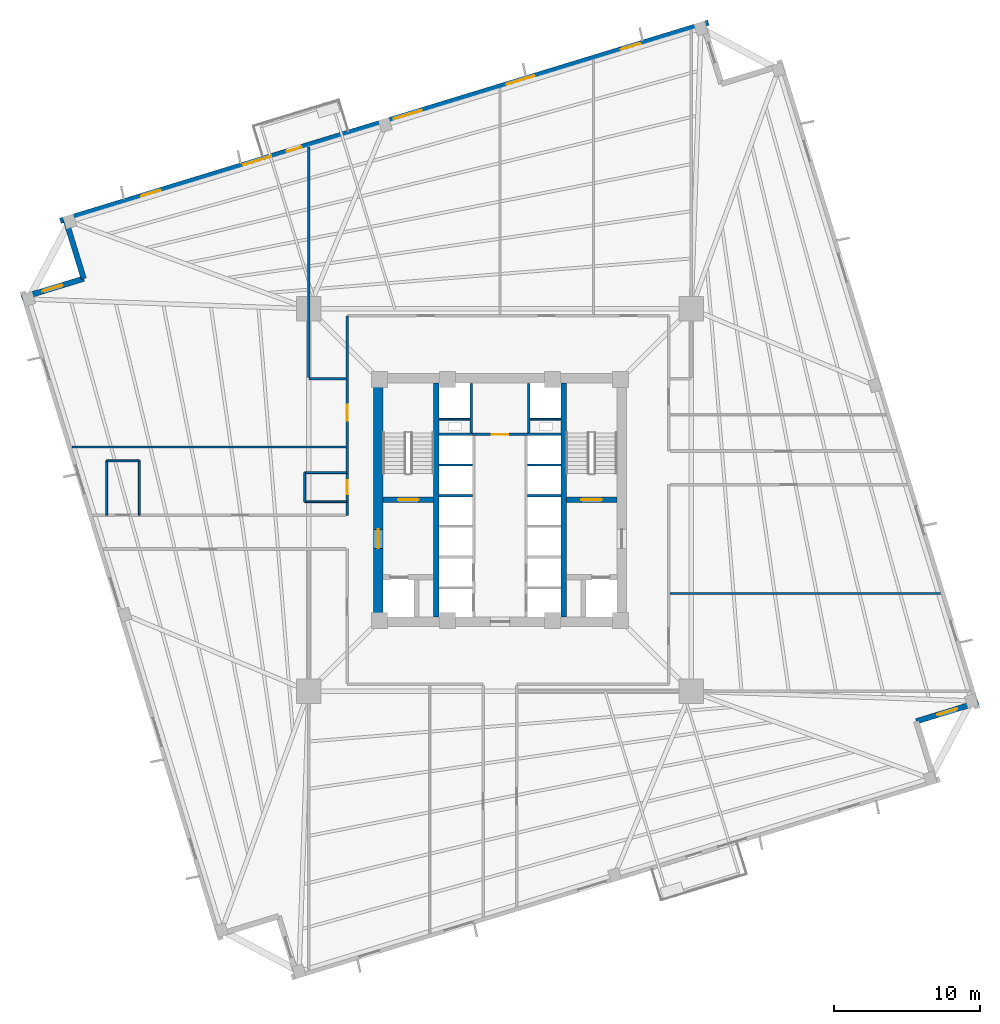
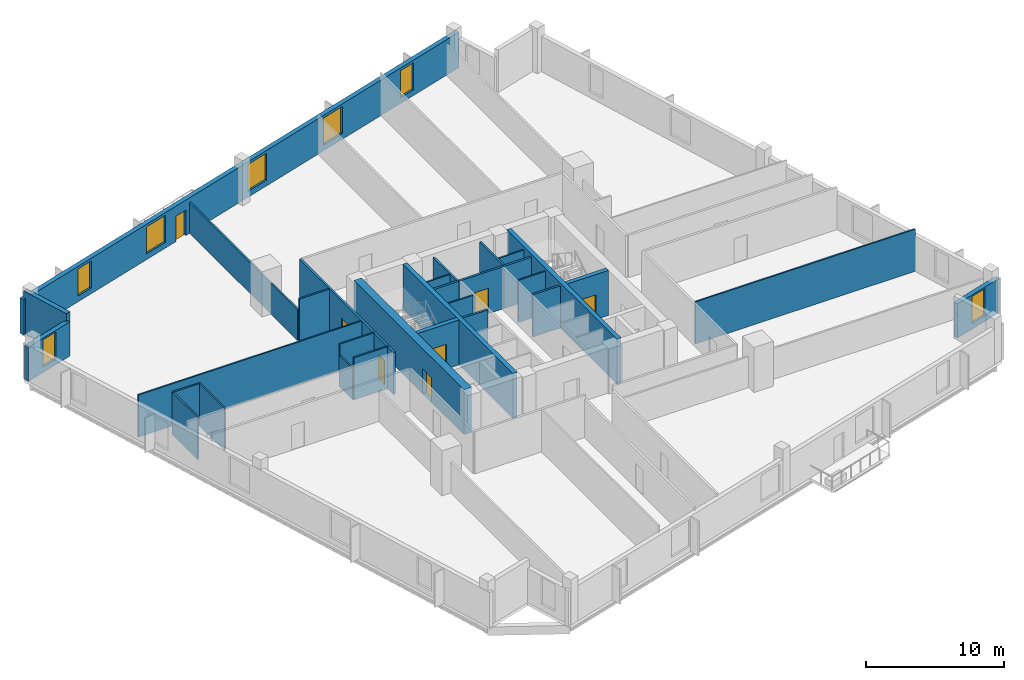
# One storey, part 4 of 8: 31 walls, 7 doors, 7 windows, 14 openings.
"""IFC4 building model written with IfcOpenShell, lengths in metres."""

from ifc_helpers import new_model, si_unit, direction, frame, frame_2d, origin, place, context, subcontext, project, spatial, rectangle, extrude, source, transform, mapped, material, layer, layer_set, type_object, element, fill, save


model = new_model("IFC4")

# Units and contexts
model_context = context("Model", 3, precision=1e-05, world=origin(), true_north=direction((0.0, 1.0)))
body_context = subcontext(model_context, "Body", "Model", "MODEL_VIEW")
ifc_project = project(units=[si_unit("LENGTHUNIT", "METRE"), si_unit("AREAUNIT", "SQUARE_METRE"), si_unit("VOLUMEUNIT", "CUBIC_METRE"), si_unit("PLANEANGLEUNIT", "RADIAN"), si_unit("MASSUNIT", "GRAM", prefix="KILO"), si_unit("THERMODYNAMICTEMPERATUREUNIT", "KELVIN")], contexts=[model_context])

# Site, building, storey
site_placement = place(None, origin())
site = spatial("IfcSite", under=ifc_project, at=site_placement, CompositionType="ELEMENT")
building_placement = place(site_placement, origin())
building = spatial("IfcBuilding", under=site, at=building_placement, Name="Kosmvard Interchange Tower", CompositionType="ELEMENT")
storey_placement = place(building_placement, frame((0.0, 0.0, 123.199951171875)))
storey = spatial("IfcBuildingStorey", under=building, at=storey_placement, Name="L29", CompositionType="ELEMENT", Elevation=123.199951171875)

# Walls
ifc_material_1 = material(Name="Acoustic gypsum partition system")
ifc_layer_1 = layer(ifc_material_1, 0.14990234375, Name="Acoustic gypsum partition system")
ifc_layer_set_1 = layer_set([ifc_layer_1], Name="Acoustic gypsum partition system")
wall_type_1 = type_object("IfcWallType", Name="Acoustic Suite & Meeting Partition 150", PredefinedType="PARTITIONING", material=ifc_layer_set_1)
wall_1_placement = place(storey_placement, frame((-10.544921875, 8.300048828125, 0.0), z_axis=(0.0, 0.0, 1.0), x_axis=(-1.0, 0.0, 0.0)))
element("IfcWall", 1, at=wall_1_placement, inside=storey, type_object=wall_type_1, Name="L29 Room Partition 01.1", PredefinedType="PARTITIONING", context=body_context, shape_type="SweptSolid", body=[
    extrude(rectangle(XDim=2.5361328125, YDim=0.14990234375, at=frame_2d((1.26806640625, 0.0))), origin(), (0.0, 0.0, 1.0), 3.739990234375),
])
wall_2_placement = place(storey_placement, frame((-13.0810546875, 8.375, 0.0), z_axis=(0.0, 0.0, 1.0), x_axis=(0.0, 1.0, 0.0)))
element("IfcWall", 2, at=wall_2_placement, inside=storey, type_object=wall_type_1, Name="L29 Room Partition 02.1", PredefinedType="PARTITIONING", context=body_context, shape_type="SweptSolid", body=[
    extrude(rectangle(XDim=15.79150390625, YDim=0.14990234375, at=frame_2d((7.895751953125, 0.0))), origin(), (0.0, 0.0, 1.0), 2.73193359375),
])
ifc_material_2 = material(Name="Fire-rated gypsum partition system")
ifc_layer_2 = layer(ifc_material_2, 0.159912109375, Name="Fire-rated gypsum partition system")
ifc_layer_set_2 = layer_set([ifc_layer_2], Name="Fire-rated gypsum partition system")
wall_type_2 = type_object("IfcWallType", Name="Core Compartment & Shuttle Lobby Partition 160", PredefinedType="PARTITIONING", material=ifc_layer_set_2)
for number, where, z_axis, x_axis, name in (
    (3, (-1.9599609375, 4.580078125, 0.0), (0.0, 0.0, 1.0), (0.0, 1.0, 0.0), "L29 North Core West Wall"),
    (4, (1.9599609375, 4.580078125, 0.0), (0.0, 0.0, 1.0), (0.0, 1.0, 0.0), "L29 North Core East Wall"),
):
    element("IfcWall", number, at=place(storey_placement, frame(where, z_axis=z_axis, x_axis=x_axis)), inside=storey, type_object=wall_type_2, Name=name, PredefinedType="PARTITIONING", context=body_context, shape_type="SweptSolid", body=[
        extrude(rectangle(XDim=3.39990234375, YDim=0.159912109375, at=frame_2d((1.699951171875, 0.0))), origin(), (0.0, 0.0, 1.0), 3.739990234375),
    ])

# Wall, opening, door
ifc_layer_3 = layer(ifc_material_2, 0.179931640625, Name="Fire-rated gypsum partition system")
ifc_layer_set_3 = layer_set([ifc_layer_3], Name="Fire-rated gypsum partition system")
wall_type_3 = type_object("IfcWallType", Name="Corridor & Hotel Compartment Partition 180", PredefinedType="PARTITIONING", material=ifc_layer_set_3)
wall_3_placement = place(storey_placement, frame((-1.8798828125, 4.489990234375, 0.0), z_axis=(0.0, 0.0, 1.0), x_axis=(1.0, 0.0, 0.0)))
wall_3 = element("IfcWall", 5, at=wall_3_placement, inside=storey, type_object=wall_type_3, Name="L29 Lift Lobby North Partition", PredefinedType="PARTITIONING", context=body_context, shape_type="SweptSolid", body=[
    extrude(rectangle(XDim=3.759765625, YDim=0.179931640625, at=frame_2d((1.8798828125, 0.0))), origin(), (0.0, 0.0, 1.0), 3.739990234375),
])
opening_1_placement = place(wall_3_placement, frame((1.304931640625, 0.0, 0.0)))
opening_1 = element("IfcOpeningElement", 6, at=opening_1_placement, cuts=wall_3, Name="Opening L29-KD1", PredefinedType="OPENING", context=body_context, shape_type="SweptSolid", body=[
    extrude(rectangle(XDim=1.14990234375, YDim=2.25, at=frame_2d((0.574951171875, 1.125))), frame((0.0, 0.10009765625, 0.0), z_axis=(0.0, -1.0, 0.0), x_axis=(1.0, 0.0, 0.0)), (0.0, 0.0, 1.0), 0.199951171875),
])
ifc_material_3 = material(Name="Painted fire-rated steel leaf", Category="steel")
door_type_1 = type_object("IfcDoorType", Name="Plant & Riser Fire Door 1150x2250 EI60", OperationType="NOTDEFINED", PredefinedType="DOOR", material=ifc_material_3)
shared_shape_1 = source(origin(), body_context, "Body", "SweptSolid", [
    extrude(rectangle(XDim=1.14990234375, YDim=2.25, at=frame_2d((0.574951171875, 1.125))), frame((0.0, 0.02490234375, 0.0), z_axis=(0.0, -1.0, 0.0), x_axis=(1.0, 0.0, 0.0)), (0.0, 0.0, 1.0), 0.050048828125),
])
door_1_placement = place(opening_1_placement, origin())
door_1 = element("IfcDoor", 7, at=door_1_placement, inside=storey, type_object=door_type_1, Name="L29 Core IT Room Door", OperationType="SINGLE_SWING_LEFT", OverallHeight=2.25, OverallWidth=1.14990234375, PredefinedType="DOOR", context=body_context, shape_type="MappedRepresentation", body=[
    mapped(shared_shape_1, transform((0.0, 0.0, 0.0), scale=1.0)),
])
fill(opening_1, door_1)

# Wall, openings, doors
wall_4_placement = place(storey_placement, frame((-10.449951171875, -1.050048828125, 0.0), z_axis=(0.0, 0.0, 1.0), x_axis=(0.0, 1.0, 0.0)))
wall_4 = element("IfcWall", 8, at=wall_4_placement, inside=storey, type_object=wall_type_3, Name="L29 Corridor Wall CWN", PredefinedType="PARTITIONING", context=body_context, shape_type="SweptSolid", body=[
    extrude(rectangle(XDim=13.650146484375, YDim=0.179931640625, at=frame_2d((6.8251953125, 0.0))), origin(), (0.0, 0.0, 1.0), 3.739990234375),
])
opening_2_placement = place(wall_4_placement, frame((1.455078125, 0.0, 0.0)))
opening_2 = element("IfcOpeningElement", 9, at=opening_2_placement, cuts=wall_4, Name="Opening L29-D01", PredefinedType="OPENING", context=body_context, shape_type="SweptSolid", body=[
    extrude(rectangle(XDim=0.949951171875, YDim=2.10009765625, at=frame_2d((0.47509765625, 1.050048828125))), frame((0.0, 0.10009765625, 0.0), z_axis=(0.0, -1.0, 0.0), x_axis=(1.0, 0.0, 0.0)), (0.0, 0.0, 1.0), 0.199951171875),
])
opening_3_placement = place(wall_4_placement, frame((6.46240234375, 0.0, 0.0)))
opening_3 = element("IfcOpeningElement", 10, at=opening_3_placement, cuts=wall_4, Name="Opening L29-D04", PredefinedType="OPENING", context=body_context, shape_type="SweptSolid", body=[
    extrude(rectangle(XDim=1.10009765625, YDim=2.199951171875, at=frame_2d((0.550048828125, 1.10009765625))), frame((0.0, 0.10009765625, 0.0), z_axis=(0.0, -1.0, 0.0), x_axis=(1.0, 0.0, 0.0)), (0.0, 0.0, 1.0), 0.199951171875),
])
ifc_material_4 = material(Name="Laminated moisture-resistant timber", Category="wood")
door_type_2 = type_object("IfcDoorType", Name="Accessible Washroom Door 950x2100", OperationType="NOTDEFINED", PredefinedType="DOOR", material=ifc_material_4)
shared_shape_2 = source(origin(), body_context, "Body", "SweptSolid", [
    extrude(rectangle(XDim=0.949951171875, YDim=2.10009765625, at=frame_2d((0.47509765625, 1.050048828125))), frame((0.0, 0.02490234375, 0.0), z_axis=(0.0, -1.0, 0.0), x_axis=(1.0, 0.0, 0.0)), (0.0, 0.0, 1.0), 0.050048828125),
])
door_2_placement = place(opening_2_placement, origin())
door_2 = element("IfcDoor", 11, at=door_2_placement, inside=storey, type_object=door_type_2, Name="L29 Accessible Toilet Door", OperationType="SINGLE_SWING_LEFT", OverallHeight=2.10009765625, OverallWidth=0.949951171875, PredefinedType="DOOR", context=body_context, shape_type="MappedRepresentation", body=[
    mapped(shared_shape_2, transform((0.0, 0.0, 0.0), scale=1.0)),
])
fill(opening_2, door_2)
ifc_material_5 = material(Name="Engineered oak fire-rated timber", Category="wood")
door_type_3 = type_object("IfcDoorType", Name="Office Suite Entrance Door 1100x2200 FD30S", OperationType="NOTDEFINED", PredefinedType="DOOR", material=ifc_material_5)
shared_shape_3 = source(origin(), body_context, "Body", "SweptSolid", [
    extrude(rectangle(XDim=1.10009765625, YDim=2.199951171875, at=frame_2d((0.550048828125, 1.10009765625))), frame((0.0, 0.02490234375, 0.0), z_axis=(0.0, -1.0, 0.0), x_axis=(1.0, 0.0, 0.0)), (0.0, 0.0, 1.0), 0.050048828125),
])
door_3_placement = place(opening_3_placement, origin())
door_3 = element("IfcDoor", 12, at=door_3_placement, inside=storey, type_object=door_type_3, Name="L29 Document Vault Store Door", OperationType="SINGLE_SWING_RIGHT", OverallHeight=2.199951171875, OverallWidth=1.10009765625, PredefinedType="DOOR", context=body_context, shape_type="MappedRepresentation", body=[
    mapped(shared_shape_3, transform((0.0, 0.0, 0.0), scale=1.0)),
])
fill(opening_3, door_3)

# Wall, opening, window
ifc_material_6 = material(Name="Precast concrete C45/55", Category="concrete")
ifc_layer_4 = layer(ifc_material_6, 0.3798828125, Name="Precast concrete C45/55")
ifc_layer_set_4 = layer_set([ifc_layer_4], Name="Precast concrete C45/55")
wall_type_4 = type_object("IfcWallType", Name="Lower Tower Precast Pier Wall 380 C45/55", PredefinedType="STANDARD", material=ifc_layer_set_4)
wall_5_placement = place(storey_placement, frame((28.482421875, -15.144287109375, 0.0), z_axis=(0.0, 0.0, 1.0), x_axis=(0.956304176051, 0.292373601522, 0.0)))
wall_5 = element("IfcWall", 13, at=wall_5_placement, inside=storey, type_object=wall_type_4, Name="L29 Precast Facade Wall N-SE2", PredefinedType="STANDARD", context=body_context, shape_type="SweptSolid", body=[
    extrude(rectangle(XDim=4.43994140625, YDim=0.3798828125, at=frame_2d((2.219970703125, 0.0))), origin(), (0.0, 0.0, 1.0), 3.0400390625),
])
opening_4_placement = place(wall_5_placement, frame((1.52001953125, 0.0, 0.510009765625)))
opening_4 = element("IfcOpeningElement", 14, at=opening_4_placement, cuts=wall_5, Name="Opening L29-W20", PredefinedType="OPENING", context=body_context, shape_type="SweptSolid", body=[
    extrude(rectangle(XDim=1.39990234375, YDim=2.39990234375, at=frame_2d((0.699951171875, 1.199951171875))), frame((0.0, 0.199951171875, 0.0), z_axis=(0.0, -1.0, 0.0), x_axis=(1.0, 0.0, 0.0)), (0.0, 0.0, 1.0), 0.39990234375),
])
ifc_material_7 = material(Name="Low-E solar-control double glazing", Category="glass")
window_type_1 = type_object("IfcWindowType", Name="Notched Corner Feature Window 1400x2400", PartitioningType="SINGLE_PANEL", PredefinedType="WINDOW", material=ifc_material_7)
shared_shape_4 = source(origin(), body_context, "Body", "SweptSolid", [
    extrude(rectangle(XDim=1.39990234375, YDim=2.39990234375, at=frame_2d((0.699951171875, 1.199951171875))), frame((0.0, 0.030029296875, 0.0), z_axis=(0.0, -1.0, 0.0), x_axis=(1.0, 0.0, 0.0)), (0.0, 0.0, 1.0), 0.06005859375),
])
window_1_placement = place(opening_4_placement, origin())
window_1 = element("IfcWindow", 15, at=window_1_placement, inside=storey, type_object=window_type_1, Name="L29 Corner Notch Window 20", OverallHeight=2.39990234375, OverallWidth=1.39990234375, PartitioningType="SINGLE_PANEL", PredefinedType="WINDOW", context=body_context, shape_type="MappedRepresentation", body=[
    mapped(shared_shape_4, transform((0.0, 0.0, 0.0), scale=1.0)),
])
fill(opening_4, window_1)

# Wall, openings, door, windows
wall_6_placement = place(storey_placement, frame((14.26513671875, 32.65771484375, 0.0), z_axis=(0.0, 0.0, 1.0), x_axis=(-0.956304320851, -0.292373127906, 0.0)))
wall_6 = element("IfcWall", 16, at=wall_6_placement, inside=storey, type_object=wall_type_4, Name="L29 Precast Facade Wall F-N", PredefinedType="STANDARD", context=body_context, shape_type="SweptSolid", body=[
    extrude(rectangle(XDim=46.380126953125, YDim=0.3798828125, at=frame_2d((23.18994140625, 0.0))), origin(), (0.0, 0.0, 1.0), 3.14013671875),
])
opening_5_placement = place(wall_6_placement, frame((29.114990234375, 0.0, 0.0)))
opening_5 = element("IfcOpeningElement", 17, at=opening_5_placement, cuts=wall_6, Name="Opening L29-BDE", PredefinedType="OPENING", context=body_context, shape_type="SweptSolid", body=[
    extrude(rectangle(XDim=1.050048828125, YDim=2.25, at=frame_2d((0.52490234375, 1.125))), frame((0.0, 0.199951171875, 0.0), z_axis=(0.0, -1.0, 0.0), x_axis=(1.0, 0.0, 0.0)), (0.0, 0.0, 1.0), 0.39990234375),
])
opening_6_placement = place(wall_6_placement, frame((4.865478515625, 0.0, 0.510009765625)))
opening_6 = element("IfcOpeningElement", 18, at=opening_6_placement, cuts=wall_6, Name="Opening L29-W10", PredefinedType="OPENING", context=body_context, shape_type="SweptSolid", body=[
    extrude(rectangle(XDim=1.39990234375, YDim=2.39990234375, at=frame_2d((0.699951171875, 1.199951171875))), frame((0.0, 0.199951171875, 0.0), z_axis=(0.0, -1.0, 0.0), x_axis=(1.0, 0.0, 0.0)), (0.0, 0.0, 1.0), 0.39990234375),
])
opening_7_placement = place(wall_6_placement, frame((12.4501953125, 0.0, 0.510009765625)))
opening_7 = element("IfcOpeningElement", 19, at=opening_7_placement, cuts=wall_6, Name="Opening L29-W11", PredefinedType="OPENING", context=body_context, shape_type="SweptSolid", body=[
    extrude(rectangle(XDim=2.0, YDim=2.39990234375, at=frame_2d((1.0, 1.199951171875))), frame((0.0, 0.199951171875, 0.0), z_axis=(0.0, -1.0, 0.0), x_axis=(1.0, 0.0, 0.0)), (0.0, 0.0, 1.0), 0.39990234375),
])
opening_8_placement = place(wall_6_placement, frame((20.512451171875, 0.0, 0.510009765625)))
opening_8 = element("IfcOpeningElement", 20, at=opening_8_placement, cuts=wall_6, Name="Opening L29-W12", PredefinedType="OPENING", context=body_context, shape_type="SweptSolid", body=[
    extrude(rectangle(XDim=2.0, YDim=2.39990234375, at=frame_2d((1.0, 1.199951171875))), frame((0.0, 0.199951171875, 0.0), z_axis=(0.0, -1.0, 0.0), x_axis=(1.0, 0.0, 0.0)), (0.0, 0.0, 1.0), 0.39990234375),
])
opening_9_placement = place(wall_6_placement, frame((31.288330078125, 0.0, 0.510009765625)))
opening_9 = element("IfcOpeningElement", 21, at=opening_9_placement, cuts=wall_6, Name="Opening L29-W13", PredefinedType="OPENING", context=body_context, shape_type="SweptSolid", body=[
    extrude(rectangle(XDim=2.0, YDim=2.39990234375, at=frame_2d((1.0, 1.199951171875))), frame((0.0, 0.199951171875, 0.0), z_axis=(0.0, -1.0, 0.0), x_axis=(1.0, 0.0, 0.0)), (0.0, 0.0, 1.0), 0.39990234375),
])
opening_10_placement = place(wall_6_placement, frame((39.186767578125, 0.0, 0.510009765625)))
opening_10 = element("IfcOpeningElement", 22, at=opening_10_placement, cuts=wall_6, Name="Opening L29-W14", PredefinedType="OPENING", context=body_context, shape_type="SweptSolid", body=[
    extrude(rectangle(XDim=1.39990234375, YDim=2.39990234375, at=frame_2d((0.699951171875, 1.199951171875))), frame((0.0, 0.199951171875, 0.0), z_axis=(0.0, -1.0, 0.0), x_axis=(1.0, 0.0, 0.0)), (0.0, 0.0, 1.0), 0.39990234375),
])
ifc_material_8 = material(Name="Anodised aluminium and safety glass", Category="aluminium")
door_type_4 = type_object("IfcDoorType", Name="Tree-Balcony Glazed Door 1050x2250", OperationType="NOTDEFINED", PredefinedType="DOOR", material=ifc_material_8)
shared_shape_5 = source(origin(), body_context, "Body", "SweptSolid", [
    extrude(rectangle(XDim=1.050048828125, YDim=2.25, at=frame_2d((0.52490234375, 1.125))), frame((0.0, 0.02490234375, 0.0), z_axis=(0.0, -1.0, 0.0), x_axis=(1.0, 0.0, 0.0)), (0.0, 0.0, 1.0), 0.050048828125),
])
door_4_placement = place(opening_5_placement, origin())
door_4 = element("IfcDoor", 23, at=door_4_placement, inside=storey, type_object=door_type_4, Name="L29 Tree-Balcony Door BAL-L29-NE", OperationType="SINGLE_SWING_RIGHT", OverallHeight=2.25, OverallWidth=1.050048828125, PredefinedType="DOOR", context=body_context, shape_type="MappedRepresentation", body=[
    mapped(shared_shape_5, transform((0.0, 0.0, 0.0), scale=1.0)),
])
fill(opening_5, door_4)
window_2_placement = place(opening_6_placement, origin())
window_2 = element("IfcWindow", 24, at=window_2_placement, inside=storey, type_object=window_type_1, Name="L29 Facade Punched Window 10", OverallHeight=2.39990234375, OverallWidth=1.39990234375, PartitioningType="SINGLE_PANEL", PredefinedType="WINDOW", context=body_context, shape_type="MappedRepresentation", body=[
    mapped(shared_shape_4, transform((0.0, 0.0, 0.0), scale=1.0)),
])
fill(opening_6, window_2)
window_3_placement = place(opening_10_placement, origin())
window_3 = element("IfcWindow", 25, at=window_3_placement, inside=storey, type_object=window_type_1, Name="L29 Facade Punched Window 14", OverallHeight=2.39990234375, OverallWidth=1.39990234375, PartitioningType="SINGLE_PANEL", PredefinedType="WINDOW", context=body_context, shape_type="MappedRepresentation", body=[
    mapped(shared_shape_4, transform((0.0, 0.0, 0.0), scale=1.0)),
])
fill(opening_10, window_3)
window_type_2 = type_object("IfcWindowType", Name="Zone 2 Office Punched Window 2000x2400", PartitioningType="SINGLE_PANEL", PredefinedType="WINDOW", material=ifc_material_7)
shared_shape_6 = source(origin(), body_context, "Body", "SweptSolid", [
    extrude(rectangle(XDim=2.0, YDim=2.39990234375, at=frame_2d((1.0, 1.199951171875))), frame((0.0, 0.030029296875, 0.0), z_axis=(0.0, -1.0, 0.0), x_axis=(1.0, 0.0, 0.0)), (0.0, 0.0, 1.0), 0.06005859375),
])
window_4_placement = place(opening_7_placement, origin())
window_4 = element("IfcWindow", 26, at=window_4_placement, inside=storey, type_object=window_type_2, Name="L29 Facade Punched Window 11", OverallHeight=2.39990234375, OverallWidth=2.0, PartitioningType="SINGLE_PANEL", PredefinedType="WINDOW", context=body_context, shape_type="MappedRepresentation", body=[
    mapped(shared_shape_6, transform((0.0, 0.0, 0.0), scale=1.0)),
])
fill(opening_7, window_4)
window_5_placement = place(opening_8_placement, origin())
window_5 = element("IfcWindow", 27, at=window_5_placement, inside=storey, type_object=window_type_2, Name="L29 Facade Punched Window 12", OverallHeight=2.39990234375, OverallWidth=2.0, PartitioningType="SINGLE_PANEL", PredefinedType="WINDOW", context=body_context, shape_type="MappedRepresentation", body=[
    mapped(shared_shape_6, transform((0.0, 0.0, 0.0), scale=1.0)),
])
fill(opening_8, window_5)
window_6_placement = place(opening_9_placement, origin())
window_6 = element("IfcWindow", 28, at=window_6_placement, inside=storey, type_object=window_type_2, Name="L29 Facade Punched Window 13", OverallHeight=2.39990234375, OverallWidth=2.0, PartitioningType="SINGLE_PANEL", PredefinedType="WINDOW", context=body_context, shape_type="MappedRepresentation", body=[
    mapped(shared_shape_6, transform((0.0, 0.0, 0.0), scale=1.0)),
])
fill(opening_9, window_6)

# Wall
wall_7_placement = place(storey_placement, frame((-29.724853515625, 19.20849609375, 0.0), z_axis=(0.0, 0.0, 1.0), x_axis=(0.292345507338, -0.956312764915, 0.0)))
element("IfcWall", 29, at=wall_7_placement, inside=storey, type_object=wall_type_4, Name="L29 Precast Facade Wall N-NW1", PredefinedType="STANDARD", context=body_context, shape_type="SweptSolid", body=[
    extrude(rectangle(XDim=4.249755859375, YDim=0.3798828125, at=frame_2d((2.125, 0.0))), origin(), (0.0, 0.0, 1.0), 3.739990234375),
])

# Wall, opening, window
wall_8_placement = place(storey_placement, frame((-28.482421875, 15.144287109375, 0.0), z_axis=(0.0, 0.0, 1.0), x_axis=(-0.956304176051, -0.292373601522, 0.0)))
wall_8 = element("IfcWall", 30, at=wall_8_placement, inside=storey, type_object=wall_type_4, Name="L29 Precast Facade Wall N-NW2", PredefinedType="STANDARD", context=body_context, shape_type="SweptSolid", body=[
    extrude(rectangle(XDim=4.43994140625, YDim=0.3798828125, at=frame_2d((2.219970703125, 0.0))), origin(), (0.0, 0.0, 1.0), 3.0400390625),
])
opening_11_placement = place(wall_8_placement, frame((1.52001953125, 0.0, 0.510009765625)))
opening_11 = element("IfcOpeningElement", 31, at=opening_11_placement, cuts=wall_8, Name="Opening L29-W22", PredefinedType="OPENING", context=body_context, shape_type="SweptSolid", body=[
    extrude(rectangle(XDim=1.39990234375, YDim=2.39990234375, at=frame_2d((0.699951171875, 1.199951171875))), frame((0.0, 0.199951171875, 0.0), z_axis=(0.0, -1.0, 0.0), x_axis=(1.0, 0.0, 0.0)), (0.0, 0.0, 1.0), 0.39990234375),
])
window_7_placement = place(opening_11_placement, origin())
window_7 = element("IfcWindow", 32, at=window_7_placement, inside=storey, type_object=window_type_1, Name="L29 Corner Notch Window 22", OverallHeight=2.39990234375, OverallWidth=1.39990234375, PartitioningType="SINGLE_PANEL", PredefinedType="WINDOW", context=body_context, shape_type="MappedRepresentation", body=[
    mapped(shared_shape_4, transform((0.0, 0.0, 0.0), scale=1.0)),
])
fill(opening_11, window_7)

# Wall, opening, door
ifc_material_9 = material(Name="Concrete C70/85", Category="concrete")
ifc_layer_5 = layer(ifc_material_9, 0.64990234375, Name="Concrete C70/85")
ifc_layer_set_5 = layer_set([ifc_layer_5], Name="Concrete C70/85")
wall_type_5 = type_object("IfcWallType", Name="Mid Core Shear Wall 650 C70/85", PredefinedType="SHEAR", material=ifc_layer_set_5)
wall_9_placement = place(storey_placement, frame((-8.324951171875, -8.0, 0.0), z_axis=(0.0, 0.0, 1.0), x_axis=(0.0, 1.0, 0.0)))
wall_9 = element("IfcWall", 33, at=wall_9_placement, inside=storey, type_object=wall_type_5, Name="L29 Core Shear Wall CW-W", PredefinedType="SHEAR", context=body_context, shape_type="SweptSolid", body=[
    extrude(rectangle(XDim=16.0, YDim=0.64990234375, at=frame_2d((8.0, 0.0))), origin(), (0.0, 0.0, 1.0), 4.0),
])
opening_12_placement = place(wall_9_placement, frame((4.68994140625, 0.0, 0.0)))
opening_12 = element("IfcOpeningElement", 34, at=opening_12_placement, cuts=wall_9, Name="Opening L29-FD1", PredefinedType="OPENING", context=body_context, shape_type="SweptSolid", body=[
    extrude(rectangle(XDim=1.300048828125, YDim=2.199951171875, at=frame_2d((0.64990234375, 1.10009765625))), frame((0.0, 0.3349609375, 0.0), z_axis=(0.0, -1.0, 0.0), x_axis=(1.0, 0.0, 0.0)), (0.0, 0.0, 1.0), 0.669921875),
])
door_type_5 = type_object("IfcDoorType", Name="Firefighting Lobby Door 1300x2200 EI60", OperationType="NOTDEFINED", PredefinedType="DOOR", material=ifc_material_3)
shared_shape_7 = source(origin(), body_context, "Body", "SweptSolid", [
    extrude(rectangle(XDim=1.300048828125, YDim=2.199951171875, at=frame_2d((0.64990234375, 1.10009765625))), frame((0.0, 0.02490234375, 0.0), z_axis=(0.0, -1.0, 0.0), x_axis=(1.0, 0.0, 0.0)), (0.0, 0.0, 1.0), 0.050048828125),
])
door_5_placement = place(opening_12_placement, frame((1.300048828125, 0.0, 0.0), z_axis=(0.0, 0.0, 1.0), x_axis=(-1.0, 0.0, 0.0)))
door_5 = element("IfcDoor", 35, at=door_5_placement, inside=storey, type_object=door_type_5, Name="L29 Firefighting Lobby West Door", OperationType="SINGLE_SWING_LEFT", OverallHeight=2.199951171875, OverallWidth=1.300048828125, PredefinedType="DOOR", context=body_context, shape_type="MappedRepresentation", body=[
    mapped(shared_shape_7, transform((0.0, 0.0, 0.0), scale=1.0)),
])
fill(opening_12, door_5)

# Walls
ifc_material_10 = material(Name="Gypsum board partition system")
ifc_layer_6 = layer(ifc_material_10, 0.1201171875, Name="Gypsum board partition system")
ifc_layer_set_6 = layer_set([ifc_layer_6], Name="Gypsum board partition system")
wall_type_6 = type_object("IfcWallType", Name="Office Cellular Partition 120", PredefinedType="PARTITIONING", material=ifc_layer_set_6)
wall_10_placement = place(storey_placement, frame((-29.27392578125, 3.625, 0.0), z_axis=(0.0, 0.0, 1.0), x_axis=(1.0, 0.0, 0.0)))
element("IfcWall", 36, at=wall_10_placement, inside=storey, type_object=wall_type_6, Name="L29 Room Partition 07.1", PredefinedType="PARTITIONING", context=body_context, shape_type="SweptSolid", body=[
    extrude(rectangle(XDim=18.72900390625, YDim=0.1201171875, at=frame_2d((9.364501953125, 0.0))), origin(), (0.0, 0.0, 1.0), 3.739990234375),
])
wall_11_placement = place(storey_placement, frame((11.64501953125, -6.39990234375, 0.0), z_axis=(0.0, 0.0, 1.0), x_axis=(1.0, 0.0, 0.0)))
element("IfcWall", 37, at=wall_11_placement, inside=storey, type_object=wall_type_6, Name="L29 Room Partition 10.1", PredefinedType="PARTITIONING", context=body_context, shape_type="SweptSolid", body=[
    extrude(rectangle(XDim=18.477294921875, YDim=0.1201171875, at=frame_2d((9.23876953125, 0.0))), origin(), (0.0, 0.0, 1.0), 3.739990234375),
])
ifc_material_11 = material(Name="Concrete blockwork masonry", Category="masonry")
ifc_layer_7 = layer(ifc_material_11, 0.179931640625, Name="Concrete blockwork masonry")
ifc_layer_set_7 = layer_set([ifc_layer_7], Name="Concrete blockwork masonry")
wall_type_7 = type_object("IfcWallType", Name="Riser & Lift Bank Divider Wall 180", PredefinedType="PARTITIONING", material=ifc_layer_set_7)
for number, where, z_axis, x_axis, name in (
    (38, (-4.169921875, 0.300048828125, 0.0), (0.0, 0.0, 1.0), (1.0, 0.0, 0.0), "L29 West Bank Divider BD2"),
    (39, (1.889892578125, 0.300048828125, 0.0), (0.0, 0.0, 1.0), (1.0, 0.0, 0.0), "L29 East Bank Divider BD2"),
    (40, (-4.169921875, 4.489990234375, 0.0), (0.0, 0.0, 1.0), (1.0, 0.0, 0.0), "L29 West Bank Divider BD3"),
    (41, (1.889892578125, 4.489990234375, 0.0), (0.0, 0.0, 1.0), (1.0, 0.0, 0.0), "L29 East Bank Divider BD3"),
):
    element("IfcWall", number, at=place(storey_placement, frame(where, z_axis=z_axis, x_axis=x_axis)), inside=storey, type_object=wall_type_7, Name=name, PredefinedType="PARTITIONING", context=body_context, shape_type="SweptSolid", body=[
        extrude(rectangle(XDim=2.280029296875, YDim=0.179931640625, at=frame_2d((1.14013671875, 0.0))), origin(), (0.0, 0.0, 1.0), 3.739990234375),
    ])
ifc_material_12 = material(Name="Fire-rated gypsum shaftwall system")
ifc_layer_8 = layer(ifc_material_12, 0.1201171875, Name="Fire-rated gypsum shaftwall system")
ifc_layer_set_8 = layer_set([ifc_layer_8], Name="Fire-rated gypsum shaftwall system")
wall_type_8 = type_object("IfcWallType", Name="Shaft & Riser Fire Partition 120 EI60", PredefinedType="PARTITIONING", material=ifc_layer_set_8)
for number, where, z_axis, x_axis, name in (
    (42, (-4.159912109375, 2.39990234375, 0.0), (0.0, 0.0, 1.0), (1.0, 0.0, 0.0), "L29 Shaft Divider PL-H1"),
    (43, (1.89990234375, 2.39990234375, 0.0), (0.0, 0.0, 1.0), (1.0, 0.0, 0.0), "L29 Shaft Divider PL-H3"),
):
    element("IfcWall", number, at=place(storey_placement, frame(where, z_axis=z_axis, x_axis=x_axis)), inside=storey, type_object=wall_type_8, Name=name, PredefinedType="PARTITIONING", context=body_context, shape_type="SweptSolid", body=[
        extrude(rectangle(XDim=2.260009765625, YDim=0.1201171875, at=frame_2d((1.1298828125, 0.0))), origin(), (0.0, 0.0, 1.0), 3.739990234375),
    ])
for number, where, z_axis, x_axis, name in (
    (44, (-4.159912109375, 5.52001953125, 0.0), (0.0, 0.0, 1.0), (1.0, 0.0, 0.0), "L29 Riser Shaft Divider W"),
    (45, (2.06005859375, 5.52001953125, 0.0), (0.0, 0.0, 1.0), (1.0, 0.0, 0.0), "L29 Riser Shaft Divider E"),
):
    element("IfcWall", number, at=place(storey_placement, frame(where, z_axis=z_axis, x_axis=x_axis)), inside=storey, type_object=wall_type_8, Name=name, PredefinedType="PARTITIONING", context=body_context, shape_type="SweptSolid", body=[
        extrude(rectangle(XDim=2.099853515625, YDim=0.1201171875, at=frame_2d((1.0498046875, 0.0))), origin(), (0.0, 0.0, 1.0), 3.739990234375),
    ])
ifc_material_13 = material(Name="Concrete C60/75", Category="concrete")
ifc_layer_9 = layer(ifc_material_13, 0.360107421875, Name="Concrete C60/75")
ifc_layer_set_9 = layer_set([ifc_layer_9], Name="Concrete C60/75")
wall_type_9 = type_object("IfcWallType", Name="Stair & Lift Shaft Shear Wall 360 C60/75", PredefinedType="SHEAR", material=ifc_layer_set_9)
for number, where, z_axis, x_axis, name in (
    (46, (-4.360107421875, -8.0, 0.0), (0.0, 0.0, 1.0), (0.0, 1.0, 0.0), "L29 Shaft Shear Wall SW-W"),
    (47, (4.360107421875, -8.0, 0.0), (0.0, 0.0, 1.0), (0.0, 1.0, 0.0), "L29 Shaft Shear Wall SW-E"),
):
    element("IfcWall", number, at=place(storey_placement, frame(where, z_axis=z_axis, x_axis=x_axis)), inside=storey, type_object=wall_type_9, Name=name, PredefinedType="SHEAR", context=body_context, shape_type="SweptSolid", body=[
        extrude(rectangle(XDim=16.0, YDim=0.360107421875, at=frame_2d((8.0, 0.0))), origin(), (0.0, 0.0, 1.0), 4.0),
    ])

# Wall, opening, door
wall_12_placement = place(storey_placement, frame((-8.0, 0.02001953125, 0.0), z_axis=(0.0, 0.0, 1.0), x_axis=(1.0, 0.0, 0.0)))
wall_12 = element("IfcWall", 48, at=wall_12_placement, inside=storey, type_object=wall_type_9, Name="L29 Shaft Shear Wall SW-ST1", PredefinedType="SHEAR", context=body_context, shape_type="SweptSolid", body=[
    extrude(rectangle(XDim=3.4599609375, YDim=0.360107421875, at=frame_2d((1.72998046875, 0.0))), origin(), (0.0, 0.0, 1.0), 4.0),
])
opening_13_placement = place(wall_12_placement, frame((1.030029296875, 0.0, 0.0)))
opening_13 = element("IfcOpeningElement", 49, at=opening_13_placement, cuts=wall_12, Name="Opening L29-SD1", PredefinedType="OPENING", context=body_context, shape_type="SweptSolid", body=[
    extrude(rectangle(XDim=1.39990234375, YDim=2.199951171875, at=frame_2d((0.699951171875, 1.10009765625))), frame((0.0, 0.18994140625, 0.0), z_axis=(0.0, -1.0, 0.0), x_axis=(1.0, 0.0, 0.0)), (0.0, 0.0, 1.0), 0.380126953125),
])
door_type_6 = type_object("IfcDoorType", Name="Protected Stair Door 1400x2200 FD60S", OperationType="NOTDEFINED", PredefinedType="DOOR", material=ifc_material_3)
shared_shape_8 = source(origin(), body_context, "Body", "SweptSolid", [
    extrude(rectangle(XDim=1.39990234375, YDim=2.199951171875, at=frame_2d((0.699951171875, 1.10009765625))), frame((0.0, 0.02490234375, 0.0), z_axis=(0.0, -1.0, 0.0), x_axis=(1.0, 0.0, 0.0)), (0.0, 0.0, 1.0), 0.050048828125),
])
door_6_placement = place(opening_13_placement, origin())
door_6 = element("IfcDoor", 50, at=door_6_placement, inside=storey, type_object=door_type_6, Name="L29 Stair ST-1 Enclosure Door", OperationType="SINGLE_SWING_LEFT", OverallHeight=2.199951171875, OverallWidth=1.39990234375, PredefinedType="DOOR", context=body_context, shape_type="MappedRepresentation", body=[
    mapped(shared_shape_8, transform((0.0, 0.0, 0.0), scale=1.0)),
])
fill(opening_13, door_6)

wall_13_placement = place(storey_placement, frame((4.5400390625, 0.02001953125, 0.0), z_axis=(0.0, 0.0, 1.0), x_axis=(1.0, 0.0, 0.0)))
wall_13 = element("IfcWall", 51, at=wall_13_placement, inside=storey, type_object=wall_type_9, Name="L29 Shaft Shear Wall SW-ST2", PredefinedType="SHEAR", context=body_context, shape_type="SweptSolid", body=[
    extrude(rectangle(XDim=3.4599609375, YDim=0.360107421875, at=frame_2d((1.72998046875, 0.0))), origin(), (0.0, 0.0, 1.0), 4.0),
])
opening_14_placement = place(wall_13_placement, frame((1.030029296875, 0.0, 0.0)))
opening_14 = element("IfcOpeningElement", 52, at=opening_14_placement, cuts=wall_13, Name="Opening L29-SD2", PredefinedType="OPENING", context=body_context, shape_type="SweptSolid", body=[
    extrude(rectangle(XDim=1.39990234375, YDim=2.199951171875, at=frame_2d((0.699951171875, 1.10009765625))), frame((0.0, 0.18994140625, 0.0), z_axis=(0.0, -1.0, 0.0), x_axis=(1.0, 0.0, 0.0)), (0.0, 0.0, 1.0), 0.380126953125),
])
door_7_placement = place(opening_14_placement, origin())
door_7 = element("IfcDoor", 53, at=door_7_placement, inside=storey, type_object=door_type_6, Name="L29 Stair ST-2 Enclosure Door", OperationType="SINGLE_SWING_RIGHT", OverallHeight=2.199951171875, OverallWidth=1.39990234375, PredefinedType="DOOR", context=body_context, shape_type="MappedRepresentation", body=[
    mapped(shared_shape_8, transform((0.0, 0.0, 0.0), scale=1.0)),
])
fill(opening_14, door_7)

# Walls
ifc_material_14 = material(Name="Moisture-resistant gypsum partition")
ifc_layer_10 = layer(ifc_material_14, 0.135009765625, Name="Moisture-resistant gypsum partition")
ifc_layer_set_10 = layer_set([ifc_layer_10], Name="Moisture-resistant gypsum partition")
wall_type_10 = type_object("IfcWallType", Name="Wet Room Moisture-Resistant Partition 135", PredefinedType="PARTITIONING", material=ifc_layer_set_10)
for number, where, z_axis, x_axis, name in (
    (54, (-13.3701171875, -0.1201171875, 0.0), (0.0, 0.0, 1.0), (1.0, 0.0, 0.0), "L29 Washroom Partition AWC1-S"),
    (55, (-13.3701171875, 1.8798828125, 0.0), (0.0, 0.0, 1.0), (1.0, 0.0, 0.0), "L29 Washroom Partition AWC1-N"),
):
    element("IfcWall", number, at=place(storey_placement, frame(where, z_axis=z_axis, x_axis=x_axis)), inside=storey, type_object=wall_type_10, Name=name, PredefinedType="PARTITIONING", context=body_context, shape_type="SweptSolid", body=[
        extrude(rectangle(XDim=2.900146484375, YDim=0.135009765625, at=frame_2d((1.4501953125, 0.0))), origin(), (0.0, 0.0, 1.0), 3.739990234375),
    ])
wall_14_placement = place(storey_placement, frame((-13.3701171875, -0.1201171875, 0.0), z_axis=(0.0, 0.0, 1.0), x_axis=(0.0, 1.0, 0.0)))
element("IfcWall", 56, at=wall_14_placement, inside=storey, type_object=wall_type_10, Name="L29 Washroom Partition AWC1-W", PredefinedType="PARTITIONING", context=body_context, shape_type="SweptSolid", body=[
    extrude(rectangle(XDim=2.0, YDim=0.135009765625, at=frame_2d((1.0, 0.0))), origin(), (0.0, 0.0, 1.0), 2.73193359375),
])
wall_15_placement = place(storey_placement, frame((-24.664794921875, -1.030029296875, 0.0), z_axis=(0.0, 0.0, 1.0), x_axis=(0.0, 1.0, 0.0)))
element("IfcWall", 57, at=wall_15_placement, inside=storey, type_object=wall_type_10, Name="L29 Washroom Partition WC1-E", PredefinedType="PARTITIONING", context=body_context, shape_type="SweptSolid", body=[
    extrude(rectangle(XDim=3.699951171875, YDim=0.135009765625, at=frame_2d((1.85009765625, 0.0))), origin(), (0.0, 0.0, 1.0), 3.739990234375),
])
wall_16_placement = place(storey_placement, frame((-26.914794921875, 2.669921875, 0.0), z_axis=(0.0, 0.0, 1.0), x_axis=(1.0, 0.0, 0.0)))
element("IfcWall", 58, at=wall_16_placement, inside=storey, type_object=wall_type_10, Name="L29 Washroom Partition WC1-N", PredefinedType="PARTITIONING", context=body_context, shape_type="SweptSolid", body=[
    extrude(rectangle(XDim=2.25, YDim=0.135009765625, at=frame_2d((1.125, 0.0))), origin(), (0.0, 0.0, 1.0), 3.739990234375),
])
wall_17_placement = place(storey_placement, frame((-26.914794921875, -1.030029296875, 0.0), z_axis=(0.0, 0.0, 1.0), x_axis=(0.0, 1.0, 0.0)))
element("IfcWall", 59, at=wall_17_placement, inside=storey, type_object=wall_type_10, Name="L29 Washroom Partition WC1-W", PredefinedType="PARTITIONING", context=body_context, shape_type="SweptSolid", body=[
    extrude(rectangle(XDim=3.699951171875, YDim=0.135009765625, at=frame_2d((1.85009765625, 0.0))), origin(), (0.0, 0.0, 1.0), 3.739990234375),
])

save(model, "model.ifc")
